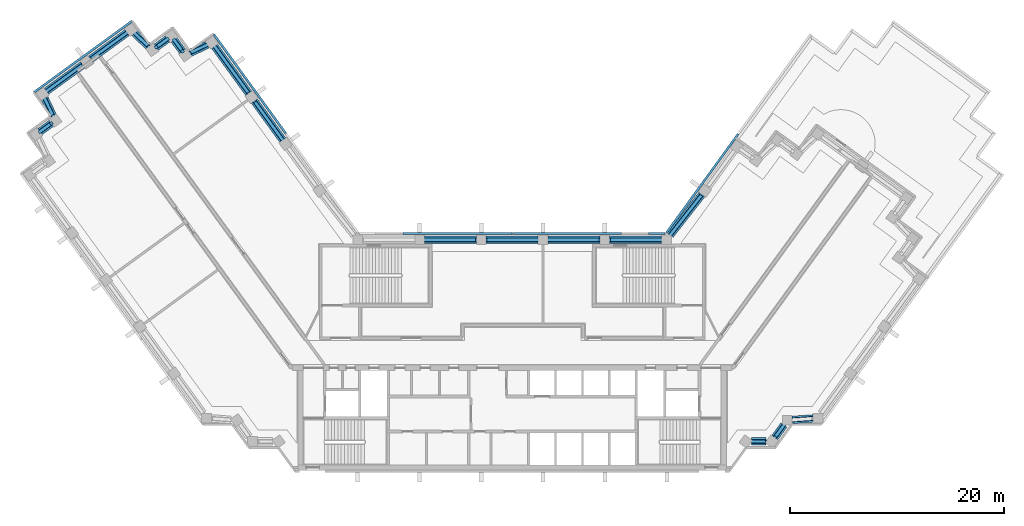
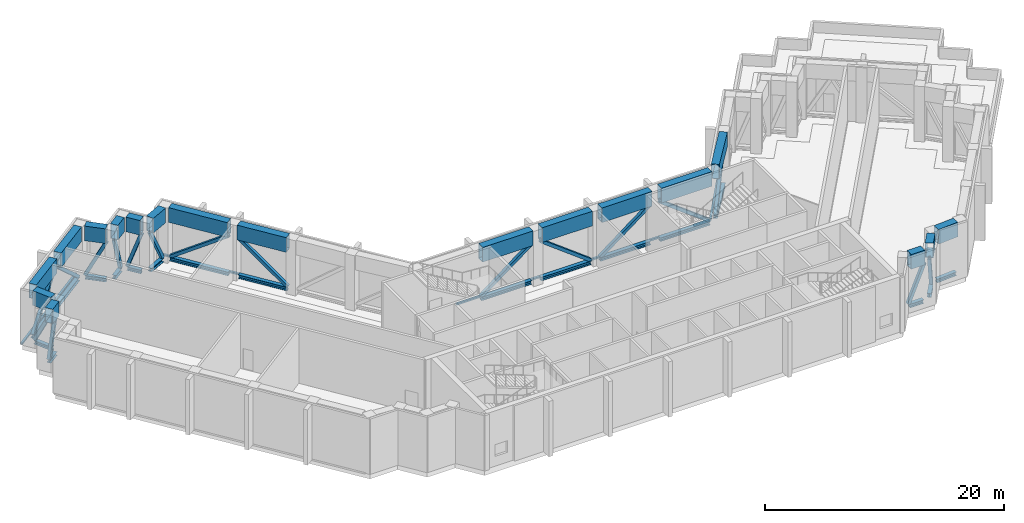
"""IFC4 building model written with IfcOpenShell, lengths in metres."""

from ifc_helpers import new_model, si_unit, direction, frame, origin, origin_2d, place, context, subcontext, project, spatial, rectangle, hollow_rectangle, i_section, extrude, material, material_profile, profile_set, type_object, element, aggregate, save


model = new_model("IFC4")

# Units and contexts
model_context = context("Model", 3, precision=1e-05, world=origin(), true_north=direction((0.0, 1.0)))
body_context = subcontext(model_context, "Body", "Model", "MODEL_VIEW")
ifc_project = project(units=[si_unit("LENGTHUNIT", "METRE"), si_unit("AREAUNIT", "SQUARE_METRE"), si_unit("VOLUMEUNIT", "CUBIC_METRE"), si_unit("PLANEANGLEUNIT", "RADIAN"), si_unit("MASSUNIT", "GRAM", prefix="KILO")], contexts=[model_context])

# Site, building, storey
site_placement = place(None, origin())
site = spatial("IfcSite", under=ifc_project, at=site_placement, CompositionType="ELEMENT")
building_placement = place(site_placement, origin())
building = spatial("IfcBuilding", under=site, at=building_placement, Name="Quipu Civic Tower", CompositionType="ELEMENT")
storey_1_placement = place(building_placement, frame((0.0, 0.0, 188.0)))
storey_1 = spatial("IfcBuildingStorey", under=building, at=storey_1_placement, Name="L44", CompositionType="ELEMENT", Elevation=188.0)

# Beams
ifc_material_1 = material(Name="Steel ASTM A992 Grade 50 (fy 345 MPa)", Category="steel")
ifc_material_profile_1 = material_profile(ifc_material_1, i_section(OverallWidth=0.3740234375, OverallDepth=0.372314453125, WebThickness=0.016357421875, FlangeThickness=0.026123046875, at=origin_2d()), Name="W360x196")
ifc_profile_set_1 = profile_set([ifc_material_profile_1], Name="Steel ASTM A992 Grade 50 (fy 345 MPa)")
beam_type_1 = type_object("IfcBeamType", Name="Belt truss bottom chord W360x196", PredefinedType="BEAM", material=ifc_profile_set_1)
beam_1_placement = place(storey_1_placement, frame((-21.411865234375, 19.807861328125, 0.2861328125), z_axis=(-0.587778073121, 0.809022210299, 0.0), x_axis=(-0.809022210299, -0.587778073121, 0.0)))
element("IfcBeam", 1, at=beam_1_placement, inside=storey_1, type_object=beam_type_1, Name="Truss bottom chord L44 W-IN-02 to W-IN-03", PredefinedType="BEAM", context=body_context, shape_type="SweptSolid", body=[
    extrude(i_section(OverallWidth=0.3740234375, OverallDepth=0.372314453125, WebThickness=0.016357421875, FlangeThickness=0.026123046875, at=origin_2d()), origin(), (0.0, 0.0, 1.0), 4.5),
])
beam_2_placement = place(storey_1_placement, frame((-24.585693359375, 24.1767578125, 0.2861328125), z_axis=(-0.58767640123, 0.809096068114, 0.0), x_axis=(-0.809096068114, -0.58767640123, 0.0)))
element("IfcBeam", 2, at=beam_2_placement, inside=storey_1, type_object=beam_type_1, Name="Truss bottom chord L44 W-IN-03 to T-Wi.0-W34", PredefinedType="BEAM", context=body_context, shape_type="SweptSolid", body=[
    extrude(i_section(OverallWidth=0.3740234375, OverallDepth=0.372314453125, WebThickness=0.016357421875, FlangeThickness=0.026123046875, at=origin_2d()), origin(), (0.0, 0.0, 1.0), 5.39404296875),
])
beam_3_placement = place(storey_1_placement, frame((-28.43310546875, 28.7080078125, 0.2861328125), z_axis=(-0.902567013751, -0.430549399823, 0.0), x_axis=(0.430549399823, -0.902567013751, 0.0)))
element("IfcBeam", 3, at=beam_3_placement, inside=storey_1, type_object=beam_type_1, Name="Truss bottom chord L44 T-Wi.0-W34 to T-Wi.1-W34", PredefinedType="BEAM", context=body_context, shape_type="SweptSolid", body=[
    extrude(i_section(OverallWidth=0.3740234375, OverallDepth=0.372314453125, WebThickness=0.016357421875, FlangeThickness=0.026123046875, at=origin_2d()), origin(), (0.0, 0.0, 1.0), 1.8310546875),
])
beam_4_placement = place(storey_1_placement, frame((-30.763916015625, 28.086181640625, 0.2861328125), z_axis=(-0.589187485143, 0.80799635355, 0.0), x_axis=(-0.80799635355, -0.589187485143, 0.0)))
element("IfcBeam", 4, at=beam_4_placement, inside=storey_1, type_object=beam_type_1, Name="Truss bottom chord L44 T-Wi.1-W34 to T-Wi.2-W34", PredefinedType="BEAM", context=body_context, shape_type="SweptSolid", body=[
    extrude(i_section(OverallWidth=0.3740234375, OverallDepth=0.372314453125, WebThickness=0.016357421875, FlangeThickness=0.026123046875, at=origin_2d()), origin(), (0.0, 0.0, 1.0), 1.2998046875),
])
beam_5_placement = place(storey_1_placement, frame((-32.1591796875, 29.23583984375, 0.2861328125), z_axis=(-0.809402563526, -0.587254195521, 0.0), x_axis=(0.587254195521, -0.809402563526, 0.0)))
element("IfcBeam", 5, at=beam_5_placement, inside=storey_1, type_object=beam_type_1, Name="Truss bottom chord L44 T-Wi.2-W34 to T-Wi.3-W34", PredefinedType="BEAM", context=body_context, shape_type="SweptSolid", body=[
    extrude(i_section(OverallWidth=0.3740234375, OverallDepth=0.372314453125, WebThickness=0.016357421875, FlangeThickness=0.026123046875, at=origin_2d()), origin(), (0.0, 0.0, 1.0), 1.2978515625),
])
beam_6_placement = place(storey_1_placement, frame((-33.90576171875, 28.524658203125, 0.2861328125), z_axis=(-0.725209203815, 0.688528583795, 0.0), x_axis=(-0.688528583795, -0.725209203815, 0.0)))
element("IfcBeam", 6, at=beam_6_placement, inside=storey_1, type_object=beam_type_1, Name="Truss bottom chord L44 T-Wi.3-W34 to T-Wi.4-W34", PredefinedType="BEAM", context=body_context, shape_type="SweptSolid", body=[
    extrude(i_section(OverallWidth=0.3740234375, OverallDepth=0.372314453125, WebThickness=0.016357421875, FlangeThickness=0.026123046875, at=origin_2d()), origin(), (0.0, 0.0, 1.0), 1.830322265625),
])
beam_7_placement = place(storey_1_placement, frame((-35.928955078125, 29.83544921875, 0.2861328125), z_axis=(-0.808969789945, -0.58785021813, 0.0), x_axis=(0.58785021813, -0.808969789945, 0.0)))
element("IfcBeam", 7, at=beam_7_placement, inside=storey_1, type_object=beam_type_1, Name="Truss bottom chord L44 T-Wi.4-W34 to TIP-W-01-W34", PredefinedType="BEAM", context=body_context, shape_type="SweptSolid", body=[
    extrude(i_section(OverallWidth=0.3740234375, OverallDepth=0.372314453125, WebThickness=0.016357421875, FlangeThickness=0.026123046875, at=origin_2d()), origin(), (0.0, 0.0, 1.0), 4.199951171875),
])
beam_8_placement = place(storey_1_placement, frame((-40.0546875, 26.83740234375, 0.2861328125), z_axis=(-0.808987489375, -0.587825860298, 0.0), x_axis=(0.587825860298, -0.808987489375, 0.0)))
element("IfcBeam", 8, at=beam_8_placement, inside=storey_1, type_object=beam_type_1, Name="Truss bottom chord L44 TIP-W-01-W34 to T-Wo.0-W34", PredefinedType="BEAM", context=body_context, shape_type="SweptSolid", body=[
    extrude(i_section(OverallWidth=0.3740234375, OverallDepth=0.372314453125, WebThickness=0.016357421875, FlangeThickness=0.026123046875, at=origin_2d()), origin(), (0.0, 0.0, 1.0), 4.1982421875),
])
beam_9_placement = place(storey_1_placement, frame((-43.6181640625, 23.691650390625, 0.2861328125), z_axis=(0.429892146977, -0.902880247856, 0.0), x_axis=(0.902880247856, 0.429892146977, 0.0)))
element("IfcBeam", 9, at=beam_9_placement, inside=storey_1, type_object=beam_type_1, Name="Truss bottom chord L44 T-Wo.0-W34 to T-Wo.1-W34", PredefinedType="BEAM", context=body_context, shape_type="SweptSolid", body=[
    extrude(i_section(OverallWidth=0.3740234375, OverallDepth=0.372314453125, WebThickness=0.016357421875, FlangeThickness=0.026123046875, at=origin_2d()), origin(), (0.0, 0.0, 1.0), 1.829833984375),
])
beam_10_placement = place(storey_1_placement, frame((-42.999267578125, 21.362060546875, 0.2861328125), z_axis=(-0.809393823939, -0.587266240959, 0.0), x_axis=(0.587266240959, -0.809393823939, 0.0)))
element("IfcBeam", 10, at=beam_10_placement, inside=storey_1, type_object=beam_type_1, Name="Truss bottom chord L44 T-Wo.1-W34 to T-Wo.2-W34", PredefinedType="BEAM", context=body_context, shape_type="SweptSolid", body=[
    extrude(i_section(OverallWidth=0.3740234375, OverallDepth=0.372314453125, WebThickness=0.016357421875, FlangeThickness=0.026123046875, at=origin_2d()), origin(), (0.0, 0.0, 1.0), 1.299072265625),
])
beam_11_placement = place(storey_1_placement, frame((22.34814453125, -8.31494140625, 0.2861328125), z_axis=(1.0, 0.0, 0.0), x_axis=(0.0, 1.0, 0.0)))
element("IfcBeam", 11, at=beam_11_placement, inside=storey_1, type_object=beam_type_1, Name="Truss bottom chord L44 J-Eo.1 to J-Eo.2", PredefinedType="BEAM", context=body_context, shape_type="SweptSolid", body=[
    extrude(i_section(OverallWidth=0.3740234375, OverallDepth=0.372314453125, WebThickness=0.016357421875, FlangeThickness=0.026123046875, at=origin_2d()), origin(), (0.0, 0.0, 1.0), 1.33056640625),
])
beam_12_placement = place(storey_1_placement, frame((24.499755859375, -7.951171875, 0.2861328125), z_axis=(0.588433824377, 0.808545381738, 0.0), x_axis=(-0.808545381738, 0.588433824377, 0.0)))
element("IfcBeam", 12, at=beam_12_placement, inside=storey_1, type_object=beam_type_1, Name="Truss bottom chord L44 J-Eo.2 to J-Eo.3", PredefinedType="BEAM", context=body_context, shape_type="SweptSolid", body=[
    extrude(i_section(OverallWidth=0.3740234375, OverallDepth=0.372314453125, WebThickness=0.016357421875, FlangeThickness=0.026123046875, at=origin_2d()), origin(), (0.0, 0.0, 1.0), 1.439697265625),
])
beam_13_placement = place(storey_1_placement, frame((26.12451171875, -6.304443359375, 0.2861328125), z_axis=(0.997365981169, 0.072533437859, 0.0), x_axis=(-0.072533437859, 0.997365981169, 0.0)))
element("IfcBeam", 13, at=beam_13_placement, inside=storey_1, type_object=beam_type_1, Name="Truss bottom chord L44 J-Eo.3 to J-Eo.4", PredefinedType="BEAM", context=body_context, shape_type="SweptSolid", body=[
    extrude(i_section(OverallWidth=0.3740234375, OverallDepth=0.372314453125, WebThickness=0.016357421875, FlangeThickness=0.026123046875, at=origin_2d()), origin(), (0.0, 0.0, 1.0), 1.95556640625),
])
beam_14_placement = place(storey_1_placement, frame((17.6962890625, 14.72021484375, 0.2861328125), z_axis=(-0.616123961998, -0.787649200756, 0.0), x_axis=(0.787649200756, -0.616123961998, 0.0)))
element("IfcBeam", 14, at=beam_14_placement, inside=storey_1, type_object=beam_type_1, Name="Truss bottom chord L44 E-IN-01 to J-Ei.0", PredefinedType="BEAM", context=body_context, shape_type="SweptSolid", body=[
    extrude(i_section(OverallWidth=0.3740234375, OverallDepth=0.372314453125, WebThickness=0.016357421875, FlangeThickness=0.026123046875, at=origin_2d()), origin(), (0.0, 0.0, 1.0), 4.78662109375),
])
beam_15_placement = place(storey_1_placement, frame((13.9453125, 10.5, 0.2861328125), z_axis=(-1.0, 0.0, 0.0), x_axis=(0.0, -1.0, 0.0)))
element("IfcBeam", 15, at=beam_15_placement, inside=storey_1, type_object=beam_type_1, Name="Truss bottom chord L44 J-Ei.0 to FRONT-01", PredefinedType="BEAM", context=body_context, shape_type="SweptSolid", body=[
    extrude(i_section(OverallWidth=0.3740234375, OverallDepth=0.372314453125, WebThickness=0.016357421875, FlangeThickness=0.026123046875, at=origin_2d()), origin(), (0.0, 0.0, 1.0), 4.858154296875),
])
for number, where, z_axis, x_axis, name in (
    (16, (8.18701171875, 10.5, 0.2861328125), (-1.0, 0.0, 0.0), (0.0, -1.0, 0.0), "Truss bottom chord L44 FRONT-01 to FRONT-02"),
    (17, (2.428955078125, 10.5, 0.2861328125), (-1.0, 0.0, 0.0), (0.0, -1.0, 0.0), "Truss bottom chord L44 FRONT-02 to FRONT-03"),
    (18, (-3.3291015625, 10.5, 0.2861328125), (-1.0, 0.0, 0.0), (0.0, -1.0, 0.0), "Truss bottom chord L44 FRONT-03 to FRONT-04"),
):
    element("IfcBeam", number, at=place(storey_1_placement, frame(where, z_axis=z_axis, x_axis=x_axis)), inside=storey_1, type_object=beam_type_1, Name=name, PredefinedType="BEAM", context=body_context, shape_type="SweptSolid", body=[
        extrude(i_section(OverallWidth=0.3740234375, OverallDepth=0.372314453125, WebThickness=0.016357421875, FlangeThickness=0.026123046875, at=origin_2d()), origin(), (0.0, 0.0, 1.0), 4.85791015625),
    ])

# Members
ifc_material_2 = material(Name="Steel ASTM A500 Grade C (fy 345 MPa)", Category="steel")
ifc_material_profile_2 = material_profile(ifc_material_2, hollow_rectangle(XDim=0.3046875, YDim=0.3046875, WallThickness=0.0126953125, at=origin_2d()), Name="HSS305x305x13")
ifc_profile_set_2 = profile_set([ifc_material_profile_2], Name="Steel ASTM A500 Grade C (fy 345 MPa)")
member_type_1 = type_object("IfcMemberType", Name="Belt truss diagonal HSS305x305x13", PredefinedType="BRACE", material=ifc_profile_set_2)
member_1_placement = place(storey_1_placement, frame((-21.411865234375, 19.807861328125, 0.472412109375), z_axis=(-0.455130838756, 0.626445548046, 0.632788981372), x_axis=(-0.809022210299, -0.587778073121, 0.0)))
element("IfcMember", 19, at=member_1_placement, inside=storey_1, type_object=member_type_1, Name="Truss diagonal L44 W-IN-02 to W-IN-03", PredefinedType="BRACE", context=body_context, shape_type="SweptSolid", body=[
    extrude(hollow_rectangle(XDim=0.3046875, YDim=0.3046875, WallThickness=0.0126953125, at=origin_2d()), origin(), (0.0, 0.0, 1.0), 5.8115234375),
])
member_2_placement = place(storey_1_placement, frame((-24.585693359375, 24.1767578125, 4.14990234375), z_axis=(-0.48556401766, 0.668510657708, -0.56331259997), x_axis=(-0.809096068114, -0.58767640123, 0.0)))
element("IfcMember", 20, at=member_2_placement, inside=storey_1, type_object=member_type_1, Name="Truss diagonal L44 W-IN-03 to T-Wi.0-W34", PredefinedType="BRACE", context=body_context, shape_type="SweptSolid", body=[
    extrude(hollow_rectangle(XDim=0.3046875, YDim=0.3046875, WallThickness=0.0126953125, at=origin_2d()), origin(), (0.0, 0.0, 1.0), 6.5283203125),
])
member_3_placement = place(storey_1_placement, frame((-28.42626953125, 28.711181640625, 0.472412109375), z_axis=(-0.404939610994, -0.193125045243, 0.893715071121), x_axis=(0.430472524882, -0.902603681203, 0.0)))
element("IfcMember", 21, at=member_3_placement, inside=storey_1, type_object=member_type_1, Name="Truss diagonal L44 T-Wi.0-W34 to T-Wi.1-W34", PredefinedType="BRACE", context=body_context, shape_type="SweptSolid", body=[
    extrude(hollow_rectangle(XDim=0.3046875, YDim=0.3046875, WallThickness=0.0126953125, at=origin_2d()), origin(), (0.0, 0.0, 1.0), 4.11474609375),
])
member_4_placement = place(storey_1_placement, frame((-30.763916015625, 28.086181640625, 4.14990234375), z_axis=(-0.196353432899, 0.269273977792, -0.942834478725), x_axis=(-0.80799635355, -0.589187485143, 0.0)))
element("IfcMember", 22, at=member_4_placement, inside=storey_1, type_object=member_type_1, Name="Truss diagonal L44 T-Wi.1-W34 to T-Wi.2-W34", PredefinedType="BRACE", context=body_context, shape_type="SweptSolid", body=[
    extrude(hollow_rectangle(XDim=0.3046875, YDim=0.3046875, WallThickness=0.0126953125, at=origin_2d()), origin(), (0.0, 0.0, 1.0), 3.900390625),
])
member_5_placement = place(storey_1_placement, frame((-32.1591796875, 29.23583984375, 0.472412109375), z_axis=(-0.269381576421, -0.195447195349, 0.942992025478), x_axis=(0.587254195521, -0.809402563526, 0.0)))
element("IfcMember", 23, at=member_5_placement, inside=storey_1, type_object=member_type_1, Name="Truss diagonal L44 T-Wi.2-W34 to T-Wi.3-W34", PredefinedType="BRACE", context=body_context, shape_type="SweptSolid", body=[
    extrude(hollow_rectangle(XDim=0.3046875, YDim=0.3046875, WallThickness=0.0126953125, at=origin_2d()), origin(), (0.0, 0.0, 1.0), 3.89990234375),
])
member_6_placement = place(storey_1_placement, frame((-33.900390625, 28.519287109375, 4.14990234375), z_axis=(-0.325274909793, 0.308839092571, -0.893764313429), x_axis=(-0.688547790633, -0.725190967963, 0.0)))
element("IfcMember", 24, at=member_6_placement, inside=storey_1, type_object=member_type_1, Name="Truss diagonal L44 T-Wi.3-W34 to T-Wi.4-W34", PredefinedType="BRACE", context=body_context, shape_type="SweptSolid", body=[
    extrude(hollow_rectangle(XDim=0.3046875, YDim=0.3046875, WallThickness=0.0126953125, at=origin_2d()), origin(), (0.0, 0.0, 1.0), 4.114501953125),
])
member_7_placement = place(storey_1_placement, frame((-35.928955078125, 29.83544921875, 0.472412109375), z_axis=(-0.608635424371, -0.442274200378, 0.658753711094), x_axis=(0.58785021813, -0.808969789945, 0.0)))
element("IfcMember", 25, at=member_7_placement, inside=storey_1, type_object=member_type_1, Name="Truss diagonal L44 T-Wi.4-W34 to TIP-W-01-W34", PredefinedType="BRACE", context=body_context, shape_type="SweptSolid", body=[
    extrude(hollow_rectangle(XDim=0.3046875, YDim=0.3046875, WallThickness=0.0126953125, at=origin_2d()), origin(), (0.0, 0.0, 1.0), 5.58251953125),
])
member_8_placement = place(storey_1_placement, frame((-40.0546875, 26.83740234375, 4.14990234375), z_axis=(-0.608529046039, -0.442168902118, -0.658922652612), x_axis=(0.587825860298, -0.808987489375, 0.0)))
element("IfcMember", 26, at=member_8_placement, inside=storey_1, type_object=member_type_1, Name="Truss diagonal L44 TIP-W-01-W34 to T-Wo.0-W34", PredefinedType="BRACE", context=body_context, shape_type="SweptSolid", body=[
    extrude(hollow_rectangle(XDim=0.3046875, YDim=0.3046875, WallThickness=0.0126953125, at=origin_2d()), origin(), (0.0, 0.0, 1.0), 5.5810546875),
])
member_9_placement = place(storey_1_placement, frame((-43.62158203125, 23.69873046875, 0.472412109375), z_axis=(0.192786928756, -0.404917821432, 0.893797940246), x_axis=(0.902887419393, 0.429877084644, 0.0)))
element("IfcMember", 27, at=member_9_placement, inside=storey_1, type_object=member_type_1, Name="Truss diagonal L44 T-Wo.0-W34 to T-Wo.1-W34", PredefinedType="BRACE", context=body_context, shape_type="SweptSolid", body=[
    extrude(hollow_rectangle(XDim=0.3046875, YDim=0.3046875, WallThickness=0.0126953125, at=origin_2d()), origin(), (0.0, 0.0, 1.0), 4.114501953125),
])
member_10_placement = place(storey_1_placement, frame((-42.999267578125, 21.362060546875, 4.14990234375), z_axis=(-0.26960389461, -0.195614620538, -0.942893769331), x_axis=(0.587266240959, -0.809393823939, 0.0)))
element("IfcMember", 28, at=member_10_placement, inside=storey_1, type_object=member_type_1, Name="Truss diagonal L44 T-Wo.1-W34 to T-Wo.2-W34", PredefinedType="BRACE", context=body_context, shape_type="SweptSolid", body=[
    extrude(hollow_rectangle(XDim=0.3046875, YDim=0.3046875, WallThickness=0.0126953125, at=origin_2d()), origin(), (0.0, 0.0, 1.0), 3.900146484375),
])
member_11_placement = place(storey_1_placement, frame((22.24169921875, -8.31494140625, 0.472412109375), z_axis=(0.386948343991, 0.0, 0.92210139306), x_axis=(0.0, 1.0, 0.0)))
element("IfcMember", 29, at=member_11_placement, inside=storey_1, type_object=member_type_1, Name="Truss diagonal L44 J-Eo.1 to J-Eo.2", PredefinedType="BRACE", context=body_context, shape_type="SweptSolid", body=[
    extrude(hollow_rectangle(XDim=0.3046875, YDim=0.3046875, WallThickness=0.0126953125, at=origin_2d()), origin(), (0.0, 0.0, 1.0), 3.98828125),
])
member_12_placement = place(storey_1_placement, frame((24.499755859375, -7.951171875, 4.14990234375), z_axis=(0.228084792407, 0.313394746959, -0.92182485324), x_axis=(-0.808538039962, 0.58844391231, 0.0)))
element("IfcMember", 30, at=member_12_placement, inside=storey_1, type_object=member_type_1, Name="Truss diagonal L44 J-Eo.2 to J-Eo.3", PredefinedType="BRACE", context=body_context, shape_type="SweptSolid", body=[
    extrude(hollow_rectangle(XDim=0.3046875, YDim=0.3046875, WallThickness=0.0126953125, at=origin_2d()), origin(), (0.0, 0.0, 1.0), 3.9892578125),
])
member_13_placement = place(storey_1_placement, frame((17.6962890625, 14.720458984375, 4.14990234375), z_axis=(-0.493057703234, -0.630354329946, -0.599622814776), x_axis=(0.787664522221, -0.616104374627, 0.0)))
element("IfcMember", 31, at=member_13_placement, inside=storey_1, type_object=member_type_1, Name="Truss diagonal L44 E-IN-01 to J-Ei.0", PredefinedType="BRACE", context=body_context, shape_type="SweptSolid", body=[
    extrude(hollow_rectangle(XDim=0.3046875, YDim=0.3046875, WallThickness=0.0126953125, at=origin_2d()), origin(), (0.0, 0.0, 1.0), 6.133056640625),
])
member_14_placement = place(storey_1_placement, frame((13.9453125, 10.5, 0.472412109375), z_axis=(-0.797323523901, 0.0, 0.603552150385), x_axis=(0.0, -1.0, 0.0)))
element("IfcMember", 32, at=member_14_placement, inside=storey_1, type_object=member_type_1, Name="Truss diagonal L44 J-Ei.0 to FRONT-01", PredefinedType="BRACE", context=body_context, shape_type="SweptSolid", body=[
    extrude(hollow_rectangle(XDim=0.3046875, YDim=0.3046875, WallThickness=0.0126953125, at=origin_2d()), origin(), (0.0, 0.0, 1.0), 6.093017578125),
])
for number, where, z_axis, x_axis, name in (
    (33, (8.18701171875, 10.5, 4.14990234375), (-0.797308927232, 0.0, -0.603571432853), (0.0, -1.0, 0.0), "Truss diagonal L44 FRONT-01 to FRONT-02"),
    (34, (2.428955078125, 10.5, 0.472412109375), (-0.797308927232, 0.0, 0.603571432853), (0.0, -1.0, 0.0), "Truss diagonal L44 FRONT-02 to FRONT-03"),
    (35, (-3.3291015625, 10.5, 4.14990234375), (-0.797308927232, 0.0, -0.603571432853), (0.0, -1.0, 0.0), "Truss diagonal L44 FRONT-03 to FRONT-04"),
):
    element("IfcMember", number, at=place(storey_1_placement, frame(where, z_axis=z_axis, x_axis=x_axis)), inside=storey_1, type_object=member_type_1, Name=name, PredefinedType="BRACE", context=body_context, shape_type="SweptSolid", body=[
        extrude(hollow_rectangle(XDim=0.3046875, YDim=0.3046875, WallThickness=0.0126953125, at=origin_2d()), origin(), (0.0, 0.0, 1.0), 6.0927734375),
    ])

# Beams
ifc_material_3 = material(Name="Steel ASTM A572 Grade 50 (fy 345 MPa)", Category="steel")
ifc_material_profile_3 = material_profile(ifc_material_3, hollow_rectangle(XDim=0.699951171875, YDim=1.5, WallThickness=0.050048828125, at=origin_2d()), Name="BX1500x700x50")
ifc_profile_set_3 = profile_set([ifc_material_profile_3], Name="Steel ASTM A572 Grade 50 (fy 345 MPa)")
beam_type_2 = type_object("IfcBeamType", Name="Belt truss top chord BX1500x700x50", PredefinedType="BEAM", material=ifc_profile_set_3)
beam_16_placement = place(storey_1_placement, frame((-21.411865234375, 19.807861328125, 4.89990234375), z_axis=(-0.587778073121, 0.809022210299, 0.0), x_axis=(-0.809022210299, -0.587778073121, 0.0)))
element("IfcBeam", 36, at=beam_16_placement, inside=storey_1, type_object=beam_type_2, Name="Truss top chord L44 W-IN-02 to W-IN-03", PredefinedType="BEAM", context=body_context, shape_type="SweptSolid", body=[
    extrude(hollow_rectangle(XDim=0.699951171875, YDim=1.5, WallThickness=0.050048828125, at=origin_2d()), origin(), (0.0, 0.0, 1.0), 4.5),
])
beam_17_placement = place(storey_1_placement, frame((-24.585693359375, 24.1767578125, 4.89990234375), z_axis=(-0.58767640123, 0.809096068114, 0.0), x_axis=(-0.809096068114, -0.58767640123, 0.0)))
element("IfcBeam", 37, at=beam_17_placement, inside=storey_1, type_object=beam_type_2, Name="Truss top chord L44 W-IN-03 to T-Wi.0-W34", PredefinedType="BEAM", context=body_context, shape_type="SweptSolid", body=[
    extrude(hollow_rectangle(XDim=0.699951171875, YDim=1.5, WallThickness=0.050048828125, at=origin_2d()), origin(), (0.0, 0.0, 1.0), 5.39404296875),
])
beam_18_placement = place(storey_1_placement, frame((-28.43310546875, 28.7080078125, 4.89990234375), z_axis=(-0.902567013751, -0.430549399823, 0.0), x_axis=(0.430549399823, -0.902567013751, 0.0)))
element("IfcBeam", 38, at=beam_18_placement, inside=storey_1, type_object=beam_type_2, Name="Truss top chord L44 T-Wi.0-W34 to T-Wi.1-W34", PredefinedType="BEAM", context=body_context, shape_type="SweptSolid", body=[
    extrude(hollow_rectangle(XDim=0.699951171875, YDim=1.5, WallThickness=0.050048828125, at=origin_2d()), origin(), (0.0, 0.0, 1.0), 1.8310546875),
])
beam_19_placement = place(storey_1_placement, frame((-30.763916015625, 28.086181640625, 4.89990234375), z_axis=(-0.589187485143, 0.80799635355, 0.0), x_axis=(-0.80799635355, -0.589187485143, 0.0)))
element("IfcBeam", 39, at=beam_19_placement, inside=storey_1, type_object=beam_type_2, Name="Truss top chord L44 T-Wi.1-W34 to T-Wi.2-W34", PredefinedType="BEAM", context=body_context, shape_type="SweptSolid", body=[
    extrude(hollow_rectangle(XDim=0.699951171875, YDim=1.5, WallThickness=0.050048828125, at=origin_2d()), origin(), (0.0, 0.0, 1.0), 1.2998046875),
])
beam_20_placement = place(storey_1_placement, frame((-32.1591796875, 29.23583984375, 4.89990234375), z_axis=(-0.809402563526, -0.587254195521, 0.0), x_axis=(0.587254195521, -0.809402563526, 0.0)))
element("IfcBeam", 40, at=beam_20_placement, inside=storey_1, type_object=beam_type_2, Name="Truss top chord L44 T-Wi.2-W34 to T-Wi.3-W34", PredefinedType="BEAM", context=body_context, shape_type="SweptSolid", body=[
    extrude(hollow_rectangle(XDim=0.699951171875, YDim=1.5, WallThickness=0.050048828125, at=origin_2d()), origin(), (0.0, 0.0, 1.0), 1.2978515625),
])
beam_21_placement = place(storey_1_placement, frame((-33.90576171875, 28.524658203125, 4.89990234375), z_axis=(-0.725209203815, 0.688528583795, 0.0), x_axis=(-0.688528583795, -0.725209203815, 0.0)))
element("IfcBeam", 41, at=beam_21_placement, inside=storey_1, type_object=beam_type_2, Name="Truss top chord L44 T-Wi.3-W34 to T-Wi.4-W34", PredefinedType="BEAM", context=body_context, shape_type="SweptSolid", body=[
    extrude(hollow_rectangle(XDim=0.699951171875, YDim=1.5, WallThickness=0.050048828125, at=origin_2d()), origin(), (0.0, 0.0, 1.0), 1.830322265625),
])
beam_22_placement = place(storey_1_placement, frame((-35.928955078125, 29.83544921875, 4.89990234375), z_axis=(-0.808969789945, -0.58785021813, 0.0), x_axis=(0.58785021813, -0.808969789945, 0.0)))
element("IfcBeam", 42, at=beam_22_placement, inside=storey_1, type_object=beam_type_2, Name="Truss top chord L44 T-Wi.4-W34 to TIP-W-01-W34", PredefinedType="BEAM", context=body_context, shape_type="SweptSolid", body=[
    extrude(hollow_rectangle(XDim=0.699951171875, YDim=1.5, WallThickness=0.050048828125, at=origin_2d()), origin(), (0.0, 0.0, 1.0), 4.199951171875),
])
beam_23_placement = place(storey_1_placement, frame((-40.0546875, 26.83740234375, 4.89990234375), z_axis=(-0.808987489375, -0.587825860298, 0.0), x_axis=(0.587825860298, -0.808987489375, 0.0)))
element("IfcBeam", 43, at=beam_23_placement, inside=storey_1, type_object=beam_type_2, Name="Truss top chord L44 TIP-W-01-W34 to T-Wo.0-W34", PredefinedType="BEAM", context=body_context, shape_type="SweptSolid", body=[
    extrude(hollow_rectangle(XDim=0.699951171875, YDim=1.5, WallThickness=0.050048828125, at=origin_2d()), origin(), (0.0, 0.0, 1.0), 4.1982421875),
])
beam_24_placement = place(storey_1_placement, frame((-43.6181640625, 23.691650390625, 4.89990234375), z_axis=(0.429892146977, -0.902880247856, 0.0), x_axis=(0.902880247856, 0.429892146977, 0.0)))
element("IfcBeam", 44, at=beam_24_placement, inside=storey_1, type_object=beam_type_2, Name="Truss top chord L44 T-Wo.0-W34 to T-Wo.1-W34", PredefinedType="BEAM", context=body_context, shape_type="SweptSolid", body=[
    extrude(hollow_rectangle(XDim=0.699951171875, YDim=1.5, WallThickness=0.050048828125, at=origin_2d()), origin(), (0.0, 0.0, 1.0), 1.829833984375),
])
beam_25_placement = place(storey_1_placement, frame((-42.999267578125, 21.362060546875, 4.89990234375), z_axis=(-0.809393823939, -0.587266240959, 0.0), x_axis=(0.587266240959, -0.809393823939, 0.0)))
element("IfcBeam", 45, at=beam_25_placement, inside=storey_1, type_object=beam_type_2, Name="Truss top chord L44 T-Wo.1-W34 to T-Wo.2-W34", PredefinedType="BEAM", context=body_context, shape_type="SweptSolid", body=[
    extrude(hollow_rectangle(XDim=0.699951171875, YDim=1.5, WallThickness=0.050048828125, at=origin_2d()), origin(), (0.0, 0.0, 1.0), 1.299072265625),
])
beam_26_placement = place(storey_1_placement, frame((22.34814453125, -8.31494140625, 4.89990234375), z_axis=(1.0, 0.0, 0.0), x_axis=(0.0, 1.0, 0.0)))
element("IfcBeam", 46, at=beam_26_placement, inside=storey_1, type_object=beam_type_2, Name="Truss top chord L44 J-Eo.1 to J-Eo.2", PredefinedType="BEAM", context=body_context, shape_type="SweptSolid", body=[
    extrude(hollow_rectangle(XDim=0.699951171875, YDim=1.5, WallThickness=0.050048828125, at=origin_2d()), origin(), (0.0, 0.0, 1.0), 1.33056640625),
])
beam_27_placement = place(storey_1_placement, frame((24.499755859375, -7.951171875, 4.89990234375), z_axis=(0.588433824377, 0.808545381738, 0.0), x_axis=(-0.808545381738, 0.588433824377, 0.0)))
element("IfcBeam", 47, at=beam_27_placement, inside=storey_1, type_object=beam_type_2, Name="Truss top chord L44 J-Eo.2 to J-Eo.3", PredefinedType="BEAM", context=body_context, shape_type="SweptSolid", body=[
    extrude(hollow_rectangle(XDim=0.699951171875, YDim=1.5, WallThickness=0.050048828125, at=origin_2d()), origin(), (0.0, 0.0, 1.0), 1.439697265625),
])
beam_28_placement = place(storey_1_placement, frame((26.12451171875, -6.304443359375, 4.89990234375), z_axis=(0.997365981169, 0.072533437859, 0.0), x_axis=(-0.072533437859, 0.997365981169, 0.0)))
element("IfcBeam", 48, at=beam_28_placement, inside=storey_1, type_object=beam_type_2, Name="Truss top chord L44 J-Eo.3 to J-Eo.4", PredefinedType="BEAM", context=body_context, shape_type="SweptSolid", body=[
    extrude(hollow_rectangle(XDim=0.699951171875, YDim=1.5, WallThickness=0.050048828125, at=origin_2d()), origin(), (0.0, 0.0, 1.0), 1.95556640625),
])
beam_29_placement = place(storey_1_placement, frame((17.6962890625, 14.72021484375, 4.89990234375), z_axis=(-0.616123961998, -0.787649200756, 0.0), x_axis=(0.787649200756, -0.616123961998, 0.0)))
element("IfcBeam", 49, at=beam_29_placement, inside=storey_1, type_object=beam_type_2, Name="Truss top chord L44 E-IN-01 to J-Ei.0", PredefinedType="BEAM", context=body_context, shape_type="SweptSolid", body=[
    extrude(hollow_rectangle(XDim=0.699951171875, YDim=1.5, WallThickness=0.050048828125, at=origin_2d()), origin(), (0.0, 0.0, 1.0), 4.78662109375),
])
beam_30_placement = place(storey_1_placement, frame((13.9453125, 10.5, 4.89990234375), z_axis=(-1.0, 0.0, 0.0), x_axis=(0.0, -1.0, 0.0)))
element("IfcBeam", 50, at=beam_30_placement, inside=storey_1, type_object=beam_type_2, Name="Truss top chord L44 J-Ei.0 to FRONT-01", PredefinedType="BEAM", context=body_context, shape_type="SweptSolid", body=[
    extrude(hollow_rectangle(XDim=0.699951171875, YDim=1.5, WallThickness=0.050048828125, at=origin_2d()), origin(), (0.0, 0.0, 1.0), 4.858154296875),
])
for number, where, z_axis, x_axis, name in (
    (51, (8.18701171875, 10.5, 4.89990234375), (-1.0, 0.0, 0.0), (0.0, -1.0, 0.0), "Truss top chord L44 FRONT-01 to FRONT-02"),
    (52, (2.428955078125, 10.5, 4.89990234375), (-1.0, 0.0, 0.0), (0.0, -1.0, 0.0), "Truss top chord L44 FRONT-02 to FRONT-03"),
    (53, (-3.3291015625, 10.5, 4.89990234375), (-1.0, 0.0, 0.0), (0.0, -1.0, 0.0), "Truss top chord L44 FRONT-03 to FRONT-04"),
):
    element("IfcBeam", number, at=place(storey_1_placement, frame(where, z_axis=z_axis, x_axis=x_axis)), inside=storey_1, type_object=beam_type_2, Name=name, PredefinedType="BEAM", context=body_context, shape_type="SweptSolid", body=[
        extrude(hollow_rectangle(XDim=0.699951171875, YDim=1.5, WallThickness=0.050048828125, at=origin_2d()), origin(), (0.0, 0.0, 1.0), 4.85791015625),
    ])

# Storey
storey_2_placement = place(building_placement, frame((0.0, 0.0, 184.0)))
storey_2 = spatial("IfcBuildingStorey", under=building, at=storey_2_placement, Name="L43", CompositionType="ELEMENT", Elevation=184.0)

# Curtain wall, member
ifc_material_4 = material(Name="Insulated glass unit", Category="glass")
curtain_wall_type = type_object("IfcCurtainWallType", Name="Office curtain wall CW1", PredefinedType="NOTDEFINED", material=ifc_material_4)
curtain_wall_1_placement = place(storey_2_placement, origin())
curtain_wall_1 = element("IfcCurtainWall", 54, at=curtain_wall_1_placement, inside=storey_2, type_object=curtain_wall_type, Name="Office curtain wall CW1 L42 run 1", PredefinedType="NOTDEFINED")
ifc_material_5 = material(Name="Anodised aluminium", Category="aluminium")
ifc_material_profile_4 = material_profile(ifc_material_5, rectangle(XDim=0.199951171875, YDim=0.159912109375, at=origin_2d()), Name="RECT 200x160")
ifc_profile_set_4 = profile_set([ifc_material_profile_4], Name="Anodised aluminium")
member_type_2 = type_object("IfcMemberType", Name="Transom CW1", PredefinedType="USERDEFINED", material=ifc_profile_set_4)
member_15_placement = place(storey_1_placement, frame((-21.140380859375, 20.453857421875, 0.0), z_axis=(-0.587775682251, 0.809023947331, 0.0), x_axis=(-0.809023947331, -0.587775682251, 0.0)))
member_15 = element("IfcMember", 55, at=member_15_placement, inside=storey_1, type_object=member_type_2, Name="CW1 transom 2.3", ObjectType="TRANSOM", PredefinedType="USERDEFINED", context=body_context, shape_type="SweptSolid", body=[
    extrude(rectangle(XDim=0.199951171875, YDim=0.159912109375, at=origin_2d()), origin(), (0.0, 0.0, 1.0), 11.402099609375),
])
aggregate(curtain_wall_1, [member_15])

curtain_wall_2_placement = place(storey_2_placement, origin())
curtain_wall_2 = element("IfcCurtainWall", 56, at=curtain_wall_2_placement, inside=storey_2, type_object=curtain_wall_type, Name="Office curtain wall CW1 L42 run 6", PredefinedType="NOTDEFINED")
member_16_placement = place(storey_1_placement, frame((-35.496826171875, 30.890869140625, 0.0), z_axis=(-0.809014959561, -0.587788052963, 0.0), x_axis=(0.587788052963, -0.809014959561, 0.0)))
member_16 = element("IfcMember", 57, at=member_16_placement, inside=storey_1, type_object=member_type_2, Name="CW1 transom 1.3", ObjectType="TRANSOM", PredefinedType="USERDEFINED", context=body_context, shape_type="SweptSolid", body=[
    extrude(rectangle(XDim=0.199951171875, YDim=0.159912109375, at=origin_2d()), origin(), (0.0, 0.0, 1.0), 11.239990234375),
])
aggregate(curtain_wall_2, [member_16])

curtain_wall_3_placement = place(storey_2_placement, origin())
curtain_wall_3 = element("IfcCurtainWall", 58, at=curtain_wall_3_placement, inside=storey_2, type_object=curtain_wall_type, Name="Office curtain wall CW1 L42 run 30", PredefinedType="NOTDEFINED")
member_17_placement = place(storey_1_placement, frame((21.09326171875, 20.38916015625, 0.0), z_axis=(-0.587799878401, -0.809006367683, 0.0), x_axis=(0.809006367683, -0.587799878401, 0.0)))
member_17 = element("IfcMember", 59, at=member_17_placement, inside=storey_1, type_object=member_type_2, Name="CW1 transom 2.3", ObjectType="TRANSOM", PredefinedType="USERDEFINED", context=body_context, shape_type="SweptSolid", body=[
    extrude(rectangle(XDim=0.199951171875, YDim=0.159912109375, at=origin_2d()), origin(), (0.0, 0.0, 1.0), 11.402099609375),
])
aggregate(curtain_wall_3, [member_17])

curtain_wall_4_placement = place(storey_2_placement, origin())
curtain_wall_4 = element("IfcCurtainWall", 60, at=curtain_wall_4_placement, inside=storey_2, type_object=curtain_wall_type, Name="Office curtain wall CW1 L42 run 31", PredefinedType="NOTDEFINED")
member_18_placement = place(storey_1_placement, frame((14.26416015625, 11.10009765625, 0.0), z_axis=(-1.0, 0.0, 0.0), x_axis=(0.0, -1.0, 0.0)))
member_18 = element("IfcMember", 61, at=member_18_placement, inside=storey_1, type_object=member_type_2, Name="CW1 transom 1.3", ObjectType="TRANSOM", PredefinedType="USERDEFINED", context=body_context, shape_type="SweptSolid", body=[
    extrude(rectangle(XDim=0.199951171875, YDim=0.159912109375, at=origin_2d()), origin(), (0.0, 0.0, 1.0), 1.529052734375),
])
aggregate(curtain_wall_4, [member_18])

# Curtain wall, members
curtain_wall_5_placement = place(storey_2_placement, origin())
curtain_wall_5 = element("IfcCurtainWall", 62, at=curtain_wall_5_placement, inside=storey_2, type_object=curtain_wall_type, Name="Office curtain wall CW1 L42 run 33", PredefinedType="NOTDEFINED")
member_19_placement = place(storey_1_placement, frame((10.18359375, 11.10009765625, 0.0), z_axis=(-1.0, 0.0, 0.0), x_axis=(0.0, -1.0, 0.0)))
member_19 = element("IfcMember", 63, at=member_19_placement, inside=storey_1, type_object=member_type_2, Name="CW1 transom 1.3", ObjectType="TRANSOM", PredefinedType="USERDEFINED", context=body_context, shape_type="SweptSolid", body=[
    extrude(rectangle(XDim=0.199951171875, YDim=0.159912109375, at=origin_2d()), origin(), (0.0, 0.0, 1.0), 10.1435546875),
])
member_20_placement = place(storey_1_placement, frame((-0.0400390625, 11.10009765625, 0.0), z_axis=(-1.0, 0.0, 0.0), x_axis=(0.0, -1.0, 0.0)))
member_20 = element("IfcMember", 64, at=member_20_placement, inside=storey_1, type_object=member_type_2, Name="CW1 transom 2.3", ObjectType="TRANSOM", PredefinedType="USERDEFINED", context=body_context, shape_type="SweptSolid", body=[
    extrude(rectangle(XDim=0.199951171875, YDim=0.159912109375, at=origin_2d()), origin(), (0.0, 0.0, 1.0), 10.1435546875),
])
aggregate(curtain_wall_5, [member_19, member_20])

save(model, "model.ifc")
